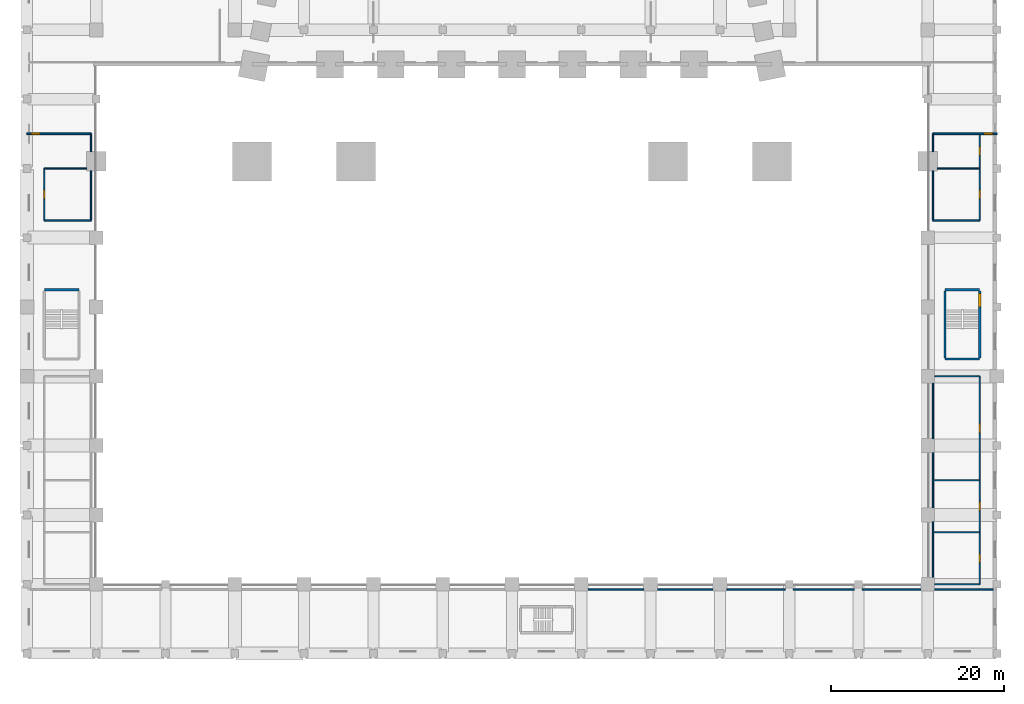
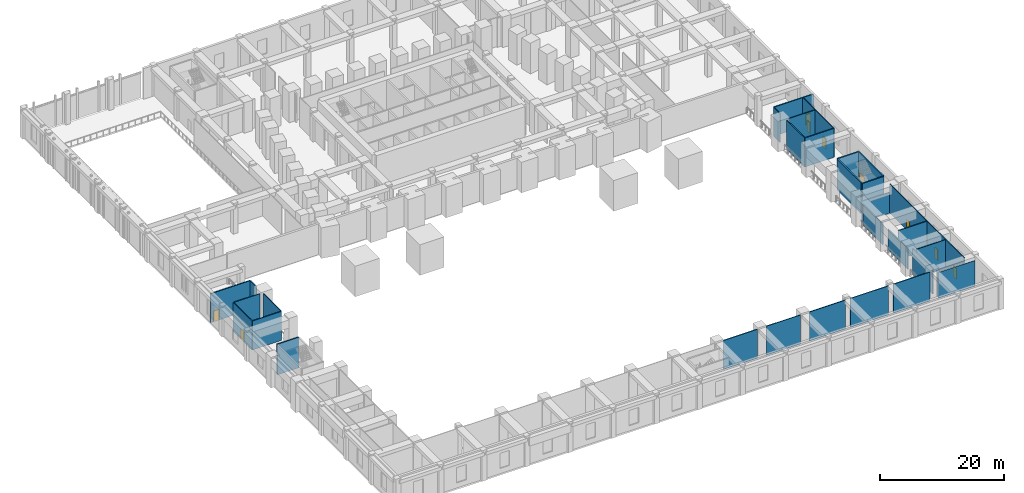
# One storey, part 8 of 25: 31 walls, 9 doors, 9 openings.
"""IFC4 building model written with IfcOpenShell, lengths in metres."""

from ifc_helpers import new_model, si_unit, direction, frame, frame_2d, origin, place, context, subcontext, project, spatial, rectangle, extrude, material, layer, layer_set, type_object, element, fill, save


model = new_model("IFC4")

# Units and contexts
model_context = context("Model", 3, precision=1e-05, world=origin(), true_north=direction((0.0, 1.0)))
body_context = subcontext(model_context, "Body", "Model", "MODEL_VIEW")
ifc_project = project(units=[si_unit("LENGTHUNIT", "METRE"), si_unit("AREAUNIT", "SQUARE_METRE"), si_unit("VOLUMEUNIT", "CUBIC_METRE"), si_unit("PLANEANGLEUNIT", "RADIAN"), si_unit("MASSUNIT", "GRAM", prefix="KILO")], contexts=[model_context])

# Site, building, storey
site_placement = place(None, origin())
site = spatial("IfcSite", under=ifc_project, at=site_placement, CompositionType="ELEMENT")
building_placement = place(site_placement, origin())
building = spatial("IfcBuilding", under=site, at=building_placement, Name="Isbrekke Arena Tower", CompositionType="ELEMENT")
storey_placement = place(building_placement, frame((0.0, 0.0, 6.0)))
storey = spatial("IfcBuildingStorey", under=building, at=storey_placement, Name="L01", CompositionType="ELEMENT", Elevation=6.0)

# Wall, opening, door
ifc_material_1 = material(Name="Gypsum board partition on steel studs", Category="steel")
ifc_layer_1 = layer(ifc_material_1, 0.14990234375)
ifc_layer_set_1 = layer_set([ifc_layer_1], Name="IW1 PARTITION 150")
wall_type_1 = type_object("IfcWallType", Name="IW1 PARTITION 150", PredefinedType="PARTITIONING", material=ifc_layer_set_1)
wall_1_placement = place(storey_placement, frame((-54.0, -24.0, 0.0), z_axis=(0.0, 0.0, 1.0), x_axis=(0.0, 1.0, 0.0)))
wall_1 = element("IfcWall", 1, at=wall_1_placement, inside=storey, type_object=wall_type_1, Name="IW1 partition L01", PredefinedType="PARTITIONING", context=body_context, shape_type="SweptSolid", body=[
    extrude(rectangle(XDim=6.0, YDim=0.14990234375, at=frame_2d((3.0, 0.0))), origin(), (0.0, 0.0, 1.0), 5.699951171875),
])
opening_1_placement = place(wall_1_placement, frame((2.5, 0.0, 0.0)))
opening_1 = element("IfcOpeningElement", 2, at=opening_1_placement, cuts=wall_1, Name="Opening D6", PredefinedType="OPENING", context=body_context, shape_type="SweptSolid", body=[
    extrude(rectangle(XDim=1.0, YDim=2.10009765625, at=frame_2d((0.5, 1.050048828125))), frame((0.0, 0.08984375, 0.0), z_axis=(0.0, -1.0, 0.0), x_axis=(1.0, 0.0, 0.0)), (0.0, 0.0, 1.0), 0.1796875),
])
ifc_material_2 = material(Name="Timber door", Category="wood")
door_type_1 = type_object("IfcDoorType", Name="D6 ROOM DOOR 1000 x 2100", OperationType="SINGLE_SWING_LEFT", PredefinedType="DOOR", material=ifc_material_2)
door_1_placement = place(opening_1_placement, origin())
door_1 = element("IfcDoor", 3, at=door_1_placement, inside=storey, type_object=door_type_1, Name="D6 door L01-13", OperationType="SINGLE_SWING_LEFT", OverallHeight=2.10009765625, OverallWidth=1.0, PredefinedType="DOOR", context=body_context, shape_type="SweptSolid", body=[
    extrude(rectangle(XDim=1.0, YDim=2.10009765625, at=frame_2d((0.5, 1.050048828125))), frame((0.0, 0.07470703125, 0.0), z_axis=(0.0, -1.0, 0.0), x_axis=(1.0, 0.0, 0.0)), (0.0, 0.0, 1.0), 0.1494140625),
])
fill(opening_1, door_1)

# Walls
wall_2_placement = place(storey_placement, frame((-48.60009765625, -24.0, 0.0), z_axis=(0.0, 0.0, 1.0), x_axis=(0.0, 1.0, 0.0)))
element("IfcWall", 4, at=wall_2_placement, inside=storey, type_object=wall_type_1, Name="IW1 partition L01", PredefinedType="PARTITIONING", context=body_context, shape_type="SweptSolid", body=[
    extrude(rectangle(XDim=5.715087890625, YDim=0.14990234375, at=frame_2d((2.857421875, 0.0))), origin(), (0.0, 0.0, 1.0), 5.699951171875),
])
wall_3_placement = place(storey_placement, frame((-48.60009765625, -16.06494140625, 0.0), z_axis=(0.0, 0.0, 1.0), x_axis=(0.0, 1.0, 0.0)))
element("IfcWall", 5, at=wall_3_placement, inside=storey, type_object=wall_type_1, Name="IW1 partition L01", PredefinedType="PARTITIONING", context=body_context, shape_type="SweptSolid", body=[
    extrude(rectangle(XDim=2.06494140625, YDim=0.14990234375, at=frame_2d((1.032470703125, 0.0))), origin(), (0.0, 0.0, 1.0), 5.699951171875),
])
wall_4_placement = place(storey_placement, frame((48.60009765625, -65.18994140625, 0.0), z_axis=(0.0, 0.0, 1.0), x_axis=(0.0, 1.0, 0.0)))
element("IfcWall", 6, at=wall_4_placement, inside=storey, type_object=wall_type_1, Name="IW1 partition L01", PredefinedType="PARTITIONING", context=body_context, shape_type="SweptSolid", body=[
    extrude(rectangle(XDim=6.3798828125, YDim=0.14990234375, at=frame_2d((3.18994140625, 0.0))), origin(), (0.0, 0.0, 1.0), 5.050048828125),
])
for number, where, z_axis, x_axis, name in (
    (7, (48.60009765625, -57.18994140625, 0.0), (0.0, 0.0, 1.0), (0.0, 1.0, 0.0), "IW1 partition L01"),
    (8, (48.60009765625, -49.18994140625, 0.0), (0.0, 0.0, 1.0), (0.0, 1.0, 0.0), "IW1 partition L01"),
):
    element("IfcWall", number, at=place(storey_placement, frame(where, z_axis=z_axis, x_axis=x_axis)), inside=storey, type_object=wall_type_1, Name=name, PredefinedType="PARTITIONING", context=body_context, shape_type="SweptSolid", body=[
        extrude(rectangle(XDim=6.3798828125, YDim=0.14990234375, at=frame_2d((3.18994140625, 0.0))), origin(), (0.0, 0.0, 1.0), 4.10009765625),
    ])
wall_5_placement = place(storey_placement, frame((48.60009765625, -24.0, 0.0), z_axis=(0.0, 0.0, 1.0), x_axis=(0.0, 1.0, 0.0)))
element("IfcWall", 9, at=wall_5_placement, inside=storey, type_object=wall_type_1, Name="IW1 partition L01", PredefinedType="PARTITIONING", context=body_context, shape_type="SweptSolid", body=[
    extrude(rectangle(XDim=5.715087890625, YDim=0.14990234375, at=frame_2d((2.857421875, 0.0))), origin(), (0.0, 0.0, 1.0), 5.699951171875),
])
wall_6_placement = place(storey_placement, frame((48.60009765625, -16.06494140625, 0.0), z_axis=(0.0, 0.0, 1.0), x_axis=(0.0, 1.0, 0.0)))
element("IfcWall", 10, at=wall_6_placement, inside=storey, type_object=wall_type_1, Name="IW1 partition L01", PredefinedType="PARTITIONING", context=body_context, shape_type="SweptSolid", body=[
    extrude(rectangle(XDim=2.06494140625, YDim=0.14990234375, at=frame_2d((1.032470703125, 0.0))), origin(), (0.0, 0.0, 1.0), 5.699951171875),
])

# Wall, openings, doors
wall_7_placement = place(storey_placement, frame((54.0, -66.0, 0.0), z_axis=(0.0, 0.0, 1.0), x_axis=(0.0, 1.0, 0.0)))
wall_7 = element("IfcWall", 11, at=wall_7_placement, inside=storey, type_object=wall_type_1, Name="IW1 partition L01", PredefinedType="PARTITIONING", context=body_context, shape_type="SweptSolid", body=[
    extrude(rectangle(XDim=24.0, YDim=0.14990234375, at=frame_2d((12.0, 0.0))), origin(), (0.0, 0.0, 1.0), 5.699951171875),
])
opening_2_placement = place(wall_7_placement, frame((2.5, 0.0, 0.0)))
opening_2 = element("IfcOpeningElement", 12, at=opening_2_placement, cuts=wall_7, Name="Opening D6", PredefinedType="OPENING", context=body_context, shape_type="SweptSolid", body=[
    extrude(rectangle(XDim=1.0, YDim=2.10009765625, at=frame_2d((0.5, 1.050048828125))), frame((0.0, 0.08984375, 0.0), z_axis=(0.0, -1.0, 0.0), x_axis=(1.0, 0.0, 0.0)), (0.0, 0.0, 1.0), 0.1796875),
])
opening_3_placement = place(wall_7_placement, frame((8.5, 0.0, 0.0)))
opening_3 = element("IfcOpeningElement", 13, at=opening_3_placement, cuts=wall_7, Name="Opening D6", PredefinedType="OPENING", context=body_context, shape_type="SweptSolid", body=[
    extrude(rectangle(XDim=1.0, YDim=2.10009765625, at=frame_2d((0.5, 1.050048828125))), frame((0.0, 0.08984375, 0.0), z_axis=(0.0, -1.0, 0.0), x_axis=(1.0, 0.0, 0.0)), (0.0, 0.0, 1.0), 0.1796875),
])
opening_4_placement = place(wall_7_placement, frame((17.5, 0.0, 0.0)))
opening_4 = element("IfcOpeningElement", 14, at=opening_4_placement, cuts=wall_7, Name="Opening D6", PredefinedType="OPENING", context=body_context, shape_type="SweptSolid", body=[
    extrude(rectangle(XDim=1.0, YDim=2.10009765625, at=frame_2d((0.5, 1.050048828125))), frame((0.0, 0.08984375, 0.0), z_axis=(0.0, -1.0, 0.0), x_axis=(1.0, 0.0, 0.0)), (0.0, 0.0, 1.0), 0.1796875),
])
door_2_placement = place(opening_2_placement, origin())
door_2 = element("IfcDoor", 15, at=door_2_placement, inside=storey, type_object=door_type_1, Name="D6 door L01-02", OperationType="SINGLE_SWING_LEFT", OverallHeight=2.10009765625, OverallWidth=1.0, PredefinedType="DOOR", context=body_context, shape_type="SweptSolid", body=[
    extrude(rectangle(XDim=1.0, YDim=2.10009765625, at=frame_2d((0.5, 1.050048828125))), frame((0.0, 0.07470703125, 0.0), z_axis=(0.0, -1.0, 0.0), x_axis=(1.0, 0.0, 0.0)), (0.0, 0.0, 1.0), 0.1494140625),
])
fill(opening_2, door_2)
door_3_placement = place(opening_3_placement, origin())
door_3 = element("IfcDoor", 16, at=door_3_placement, inside=storey, type_object=door_type_1, Name="D6 door L01-04", OperationType="SINGLE_SWING_LEFT", OverallHeight=2.10009765625, OverallWidth=1.0, PredefinedType="DOOR", context=body_context, shape_type="SweptSolid", body=[
    extrude(rectangle(XDim=1.0, YDim=2.10009765625, at=frame_2d((0.5, 1.050048828125))), frame((0.0, 0.07470703125, 0.0), z_axis=(0.0, -1.0, 0.0), x_axis=(1.0, 0.0, 0.0)), (0.0, 0.0, 1.0), 0.1494140625),
])
fill(opening_3, door_3)
door_4_placement = place(opening_4_placement, origin())
door_4 = element("IfcDoor", 17, at=door_4_placement, inside=storey, type_object=door_type_1, Name="D6 door L01-07", OperationType="SINGLE_SWING_LEFT", OverallHeight=2.10009765625, OverallWidth=1.0, PredefinedType="DOOR", context=body_context, shape_type="SweptSolid", body=[
    extrude(rectangle(XDim=1.0, YDim=2.10009765625, at=frame_2d((0.5, 1.050048828125))), frame((0.0, 0.07470703125, 0.0), z_axis=(0.0, -1.0, 0.0), x_axis=(1.0, 0.0, 0.0)), (0.0, 0.0, 1.0), 0.1494140625),
])
fill(opening_4, door_4)

wall_8_placement = place(storey_placement, frame((54.0, -24.0, 0.0), z_axis=(0.0, 0.0, 1.0), x_axis=(0.0, 1.0, 0.0)))
wall_8 = element("IfcWall", 18, at=wall_8_placement, inside=storey, type_object=wall_type_1, Name="IW1 partition L01", PredefinedType="PARTITIONING", context=body_context, shape_type="SweptSolid", body=[
    extrude(rectangle(XDim=10.0, YDim=0.14990234375, at=frame_2d((5.0, 0.0))), origin(), (0.0, 0.0, 1.0), 5.699951171875),
])
opening_5_placement = place(wall_8_placement, frame((2.5, 0.0, 0.0)))
opening_5 = element("IfcOpeningElement", 19, at=opening_5_placement, cuts=wall_8, Name="Opening D6", PredefinedType="OPENING", context=body_context, shape_type="SweptSolid", body=[
    extrude(rectangle(XDim=1.0, YDim=2.10009765625, at=frame_2d((0.5, 1.050048828125))), frame((0.0, 0.08984375, 0.0), z_axis=(0.0, -1.0, 0.0), x_axis=(1.0, 0.0, 0.0)), (0.0, 0.0, 1.0), 0.1796875),
])
opening_6_placement = place(wall_8_placement, frame((7.5, 0.0, 0.0)))
opening_6 = element("IfcOpeningElement", 20, at=opening_6_placement, cuts=wall_8, Name="Opening D6", PredefinedType="OPENING", context=body_context, shape_type="SweptSolid", body=[
    extrude(rectangle(XDim=1.0, YDim=2.10009765625, at=frame_2d((0.5, 1.050048828125))), frame((0.0, 0.08984375, 0.0), z_axis=(0.0, -1.0, 0.0), x_axis=(1.0, 0.0, 0.0)), (0.0, 0.0, 1.0), 0.1796875),
])
door_5_placement = place(opening_5_placement, origin())
door_5 = element("IfcDoor", 21, at=door_5_placement, inside=storey, type_object=door_type_1, Name="D6 door L01-12", OperationType="SINGLE_SWING_LEFT", OverallHeight=2.10009765625, OverallWidth=1.0, PredefinedType="DOOR", context=body_context, shape_type="SweptSolid", body=[
    extrude(rectangle(XDim=1.0, YDim=2.10009765625, at=frame_2d((0.5, 1.050048828125))), frame((0.0, 0.07470703125, 0.0), z_axis=(0.0, -1.0, 0.0), x_axis=(1.0, 0.0, 0.0)), (0.0, 0.0, 1.0), 0.1494140625),
])
fill(opening_5, door_5)
door_6_placement = place(opening_6_placement, origin())
door_6 = element("IfcDoor", 22, at=door_6_placement, inside=storey, type_object=door_type_1, Name="D6 door L01-14", OperationType="SINGLE_SWING_LEFT", OverallHeight=2.10009765625, OverallWidth=1.0, PredefinedType="DOOR", context=body_context, shape_type="SweptSolid", body=[
    extrude(rectangle(XDim=1.0, YDim=2.10009765625, at=frame_2d((0.5, 1.050048828125))), frame((0.0, 0.07470703125, 0.0), z_axis=(0.0, -1.0, 0.0), x_axis=(1.0, 0.0, 0.0)), (0.0, 0.0, 1.0), 0.1494140625),
])
fill(opening_6, door_6)

# Walls
for number, where, z_axis, x_axis, name in (
    (23, (8.81005859375, -66.60009765625, 0.0), (0.0, 0.0, 1.0), (1.0, 0.0, 0.0), "IW1 partition L01"),
    (24, (16.81005859375, -66.60009765625, 0.0), (0.0, 0.0, 1.0), (1.0, 0.0, 0.0), "IW1 partition L01"),
):
    element("IfcWall", number, at=place(storey_placement, frame(where, z_axis=z_axis, x_axis=x_axis)), inside=storey, type_object=wall_type_1, Name=name, PredefinedType="PARTITIONING", context=body_context, shape_type="SweptSolid", body=[
        extrude(rectangle(XDim=6.3798828125, YDim=0.14990234375, at=frame_2d((3.18994140625, 0.0))), origin(), (0.0, 0.0, 1.0), 5.699951171875),
    ])
wall_9_placement = place(storey_placement, frame((24.81005859375, -66.60009765625, 0.0), z_axis=(0.0, 0.0, 1.0), x_axis=(1.0, 0.0, 0.0)))
element("IfcWall", 25, at=wall_9_placement, inside=storey, type_object=wall_type_1, Name="IW1 partition L01", PredefinedType="PARTITIONING", context=body_context, shape_type="SweptSolid", body=[
    extrude(rectangle(XDim=6.72998046875, YDim=0.14990234375, at=frame_2d((3.364990234375, 0.0))), origin(), (0.0, 0.0, 1.0), 5.699951171875),
])
wall_10_placement = place(storey_placement, frame((32.4599609375, -66.60009765625, 0.0), z_axis=(0.0, 0.0, 1.0), x_axis=(1.0, 0.0, 0.0)))
element("IfcWall", 26, at=wall_10_placement, inside=storey, type_object=wall_type_1, Name="IW1 partition L01", PredefinedType="PARTITIONING", context=body_context, shape_type="SweptSolid", body=[
    extrude(rectangle(XDim=7.080078125, YDim=0.14990234375, at=frame_2d((3.5400390625, 0.0))), origin(), (0.0, 0.0, 1.0), 5.699951171875),
])
wall_11_placement = place(storey_placement, frame((40.4599609375, -66.60009765625, 0.0), z_axis=(0.0, 0.0, 1.0), x_axis=(1.0, 0.0, 0.0)))
element("IfcWall", 27, at=wall_11_placement, inside=storey, type_object=wall_type_1, Name="IW1 partition L01", PredefinedType="PARTITIONING", context=body_context, shape_type="SweptSolid", body=[
    extrude(rectangle(XDim=6.72998046875, YDim=0.14990234375, at=frame_2d((3.364990234375, 0.0))), origin(), (0.0, 0.0, 1.0), 5.699951171875),
])
wall_12_placement = place(storey_placement, frame((48.81005859375, -66.60009765625, 0.0), z_axis=(0.0, 0.0, 1.0), x_axis=(1.0, 0.0, 0.0)))
element("IfcWall", 28, at=wall_12_placement, inside=storey, type_object=wall_type_1, Name="IW1 partition L01", PredefinedType="PARTITIONING", context=body_context, shape_type="SweptSolid", body=[
    extrude(rectangle(XDim=6.72998046875, YDim=0.14990234375, at=frame_2d((3.364990234375, 0.0))), origin(), (0.0, 0.0, 1.0), 5.050048828125),
])
wall_13_placement = place(storey_placement, frame((48.81005859375, -66.0, 0.0), z_axis=(0.0, 0.0, 1.0), x_axis=(1.0, 0.0, 0.0)))
element("IfcWall", 29, at=wall_13_placement, inside=storey, type_object=wall_type_1, Name="IW1 partition L01", PredefinedType="PARTITIONING", context=body_context, shape_type="SweptSolid", body=[
    extrude(rectangle(XDim=5.18994140625, YDim=0.14990234375, at=frame_2d((2.594970703125, 0.0))), origin(), (0.0, 0.0, 1.0), 5.050048828125),
])
for number, where, z_axis, x_axis, name in (
    (30, (48.60009765625, -60.0, 0.0), (0.0, 0.0, 1.0), (1.0, 0.0, 0.0), "IW1 partition L01"),
    (31, (48.60009765625, -54.0, 0.0), (0.0, 0.0, 1.0), (1.0, 0.0, 0.0), "IW1 partition L01"),
):
    element("IfcWall", number, at=place(storey_placement, frame(where, z_axis=z_axis, x_axis=x_axis)), inside=storey, type_object=wall_type_1, Name=name, PredefinedType="PARTITIONING", context=body_context, shape_type="SweptSolid", body=[
        extrude(rectangle(XDim=5.39990234375, YDim=0.14990234375, at=frame_2d((2.699951171875, 0.0))), origin(), (0.0, 0.0, 1.0), 5.699951171875),
    ])
wall_14_placement = place(storey_placement, frame((48.81005859375, -42.0, 0.0), z_axis=(0.0, 0.0, 1.0), x_axis=(1.0, 0.0, 0.0)))
element("IfcWall", 32, at=wall_14_placement, inside=storey, type_object=wall_type_1, Name="IW1 partition L01", PredefinedType="PARTITIONING", context=body_context, shape_type="SweptSolid", body=[
    extrude(rectangle(XDim=5.18994140625, YDim=0.14990234375, at=frame_2d((2.594970703125, 0.0))), origin(), (0.0, 0.0, 1.0), 4.10009765625),
])
for number, where, z_axis, x_axis, name in (
    (33, (-54.0, -24.0, 0.0), (0.0, 0.0, 1.0), (1.0, 0.0, 0.0), "IW1 partition L01"),
    (34, (48.60009765625, -24.0, 0.0), (0.0, 0.0, 1.0), (1.0, 0.0, 0.0), "IW1 partition L01"),
):
    element("IfcWall", number, at=place(storey_placement, frame(where, z_axis=z_axis, x_axis=x_axis)), inside=storey, type_object=wall_type_1, Name=name, PredefinedType="PARTITIONING", context=body_context, shape_type="SweptSolid", body=[
        extrude(rectangle(XDim=5.39990234375, YDim=0.14990234375, at=frame_2d((2.699951171875, 0.0))), origin(), (0.0, 0.0, 1.0), 5.699951171875),
    ])
for number, where, z_axis, x_axis, name in (
    (35, (-54.0, -18.0, 0.0), (0.0, 0.0, 1.0), (1.0, 0.0, 0.0), "IW1 partition L01"),
    (36, (49.110107421875, -18.0, 0.0), (0.0, 0.0, 1.0), (1.0, 0.0, 0.0), "IW1 partition L01"),
):
    element("IfcWall", number, at=place(storey_placement, frame(where, z_axis=z_axis, x_axis=x_axis)), inside=storey, type_object=wall_type_1, Name=name, PredefinedType="PARTITIONING", context=body_context, shape_type="SweptSolid", body=[
        extrude(rectangle(XDim=4.889892578125, YDim=0.14990234375, at=frame_2d((2.44482421875, 0.0))), origin(), (0.0, 0.0, 1.0), 5.699951171875),
    ])

# Wall, opening, door
ifc_material_3 = material(Name="Gypsum board fire-cell wall on steel studs, two layers each side", Category="steel")
ifc_layer_2 = layer(ifc_material_3, 0.199951171875)
ifc_layer_set_2 = layer_set([ifc_layer_2], Name="IW3 FIRE-CELL WALL 200")
wall_type_2 = type_object("IfcWallType", Name="IW3 FIRE-CELL WALL 200", PredefinedType="PARTITIONING", material=ifc_layer_set_2)
wall_15_placement = place(storey_placement, frame((-56.0, -14.0, 0.0), z_axis=(0.0, 0.0, 1.0), x_axis=(1.0, 0.0, 0.0)))
wall_15 = element("IfcWall", 37, at=wall_15_placement, inside=storey, type_object=wall_type_2, Name="IW3 fire-cell wall L01", PredefinedType="PARTITIONING", context=body_context, shape_type="SweptSolid", body=[
    extrude(rectangle(XDim=7.39990234375, YDim=0.199951171875, at=frame_2d((3.699951171875, 0.0))), origin(), (0.0, 0.0, 1.0), 5.699951171875),
])
opening_7_placement = place(wall_15_placement, frame((0.5, 0.0, 0.0)))
opening_7 = element("IfcOpeningElement", 38, at=opening_7_placement, cuts=wall_15, Name="Opening D3", PredefinedType="OPENING", context=body_context, shape_type="SweptSolid", body=[
    extrude(rectangle(XDim=1.0, YDim=2.10009765625, at=frame_2d((0.5, 1.050048828125))), frame((0.0, 0.11474609375, 0.0), z_axis=(0.0, -1.0, 0.0), x_axis=(1.0, 0.0, 0.0)), (0.0, 0.0, 1.0), 0.229736328125),
])
ifc_material_4 = material(Name="Steel fire door", Category="steel")
door_type_2 = type_object("IfcDoorType", Name="D3 FIRE LOBBY DOOR 1000 x 2100", OperationType="SINGLE_SWING_RIGHT", PredefinedType="DOOR", material=ifc_material_4)
door_7_placement = place(opening_7_placement, origin())
door_7 = element("IfcDoor", 39, at=door_7_placement, inside=storey, type_object=door_type_2, Name="D3 fire-cell door L01 west hospitality corridor", OperationType="SINGLE_SWING_RIGHT", OverallHeight=2.10009765625, OverallWidth=1.0, PredefinedType="DOOR", context=body_context, shape_type="SweptSolid", body=[
    extrude(rectangle(XDim=1.0, YDim=2.10009765625, at=frame_2d((0.5, 1.050048828125))), frame((0.0, 0.099609375, 0.0), z_axis=(0.0, -1.0, 0.0), x_axis=(1.0, 0.0, 0.0)), (0.0, 0.0, 1.0), 0.199462890625),
])
fill(opening_7, door_7)

wall_16_placement = place(storey_placement, frame((48.60009765625, -14.0, 0.0), z_axis=(0.0, 0.0, 1.0), x_axis=(1.0, 0.0, 0.0)))
wall_16 = element("IfcWall", 40, at=wall_16_placement, inside=storey, type_object=wall_type_2, Name="IW3 fire-cell wall L01", PredefinedType="PARTITIONING", context=body_context, shape_type="SweptSolid", body=[
    extrude(rectangle(XDim=7.39990234375, YDim=0.199951171875, at=frame_2d((3.699951171875, 0.0))), origin(), (0.0, 0.0, 1.0), 5.699951171875),
])
opening_8_placement = place(wall_16_placement, frame((5.89990234375, 0.0, 0.0)))
opening_8 = element("IfcOpeningElement", 41, at=opening_8_placement, cuts=wall_16, Name="Opening D3", PredefinedType="OPENING", context=body_context, shape_type="SweptSolid", body=[
    extrude(rectangle(XDim=1.0, YDim=2.10009765625, at=frame_2d((0.5, 1.050048828125))), frame((0.0, 0.11474609375, 0.0), z_axis=(0.0, -1.0, 0.0), x_axis=(1.0, 0.0, 0.0)), (0.0, 0.0, 1.0), 0.229736328125),
])
door_8_placement = place(opening_8_placement, origin())
door_8 = element("IfcDoor", 42, at=door_8_placement, inside=storey, type_object=door_type_2, Name="D3 fire-cell door L01 east hospitality corridor", OperationType="SINGLE_SWING_RIGHT", OverallHeight=2.10009765625, OverallWidth=1.0, PredefinedType="DOOR", context=body_context, shape_type="SweptSolid", body=[
    extrude(rectangle(XDim=1.0, YDim=2.10009765625, at=frame_2d((0.5, 1.050048828125))), frame((0.0, 0.099609375, 0.0), z_axis=(0.0, -1.0, 0.0), x_axis=(1.0, 0.0, 0.0)), (0.0, 0.0, 1.0), 0.199462890625),
])
fill(opening_8, door_8)

# Walls
ifc_material_5 = material(Name="Concrete B45 (C45/55)", Category="concrete")
ifc_layer_3 = layer(ifc_material_5, 0.25)
ifc_layer_set_3 = layer_set([ifc_layer_3], Name="SW1 STAIR ENCLOSURE WALL 250")
wall_type_3 = type_object("IfcWallType", Name="SW1 STAIR ENCLOSURE WALL 250", PredefinedType="SOLIDWALL", material=ifc_layer_set_3)
for number, where, z_axis, x_axis, name in (
    (43, (50.0, -40.0, 0.0), (0.0, 0.0, 1.0), (1.0, 0.0, 0.0), "SW1 stair wall P3 S L01"),
    (44, (54.0, -32.0, 0.0), (0.0, 0.0, 1.0), (-1.0, 0.0, 0.0), "SW1 stair wall P3 N L01"),
):
    element("IfcWall", number, at=place(storey_placement, frame(where, z_axis=z_axis, x_axis=x_axis)), inside=storey, type_object=wall_type_3, Name=name, PredefinedType="SOLIDWALL", context=body_context, shape_type="SweptSolid", body=[
        extrude(rectangle(XDim=4.0, YDim=0.25, at=frame_2d((2.0, 0.0))), origin(), (0.0, 0.0, 1.0), 6.0),
    ])

# Wall, opening, door
wall_17_placement = place(storey_placement, frame((54.0, -39.875, 0.0), z_axis=(0.0, 0.0, 1.0), x_axis=(0.0, 1.0, 0.0)))
wall_17 = element("IfcWall", 45, at=wall_17_placement, inside=storey, type_object=wall_type_3, Name="SW1 stair wall P3 E L01", PredefinedType="SOLIDWALL", context=body_context, shape_type="SweptSolid", body=[
    extrude(rectangle(XDim=7.75, YDim=0.25, at=frame_2d((3.875, 0.0))), origin(), (0.0, 0.0, 1.0), 6.0),
])
opening_9_placement = place(wall_17_placement, frame((5.85009765625, 0.0, 0.0)))
opening_9 = element("IfcOpeningElement", 46, at=opening_9_placement, cuts=wall_17, Name="Opening D7", PredefinedType="OPENING", context=body_context, shape_type="SweptSolid", body=[
    extrude(rectangle(XDim=1.60009765625, YDim=2.10009765625, at=frame_2d((0.800048828125, 1.050048828125))), frame((0.0, 0.139892578125, 0.0), z_axis=(0.0, -1.0, 0.0), x_axis=(1.0, 0.0, 0.0)), (0.0, 0.0, 1.0), 0.27978515625),
])
ifc_material_6 = material(Name="Steel fire door", Category="steel")
door_type_3 = type_object("IfcDoorType", Name="D7 PODIUM STAIR DOOR 1600 x 2100", OperationType="DOUBLE_DOOR_SINGLE_SWING", PredefinedType="DOOR", material=ifc_material_6)
door_9_placement = place(opening_9_placement, origin())
door_9 = element("IfcDoor", 47, at=door_9_placement, inside=storey, type_object=door_type_3, Name="D7 stair door P3 L01", OperationType="DOUBLE_DOOR_SINGLE_SWING", OverallHeight=2.10009765625, OverallWidth=1.60009765625, PredefinedType="DOOR", context=body_context, shape_type="SweptSolid", body=[
    extrude(rectangle(XDim=1.60009765625, YDim=2.10009765625, at=frame_2d((0.800048828125, 1.050048828125))), frame((0.0, 0.124755859375, 0.0), z_axis=(0.0, -1.0, 0.0), x_axis=(1.0, 0.0, 0.0)), (0.0, 0.0, 1.0), 0.24951171875),
])
fill(opening_9, door_9)

# Walls
wall_18_placement = place(storey_placement, frame((50.0, -32.125, 0.0), z_axis=(0.0, 0.0, 1.0), x_axis=(0.0, -1.0, 0.0)))
element("IfcWall", 48, at=wall_18_placement, inside=storey, type_object=wall_type_3, Name="SW1 stair wall P3 W L01", PredefinedType="SOLIDWALL", context=body_context, shape_type="SweptSolid", body=[
    extrude(rectangle(XDim=7.75, YDim=0.25, at=frame_2d((3.875, 0.0))), origin(), (0.0, 0.0, 1.0), 6.0),
])
wall_19_placement = place(storey_placement, frame((-50.0, -32.0, 0.0), z_axis=(0.0, 0.0, 1.0), x_axis=(-1.0, 0.0, 0.0)))
element("IfcWall", 49, at=wall_19_placement, inside=storey, type_object=wall_type_3, Name="SW1 stair wall P4 N L01", PredefinedType="SOLIDWALL", context=body_context, shape_type="SweptSolid", body=[
    extrude(rectangle(XDim=4.0, YDim=0.25, at=frame_2d((2.0, 0.0))), origin(), (0.0, 0.0, 1.0), 6.0),
])

save(model, "model.ifc")
